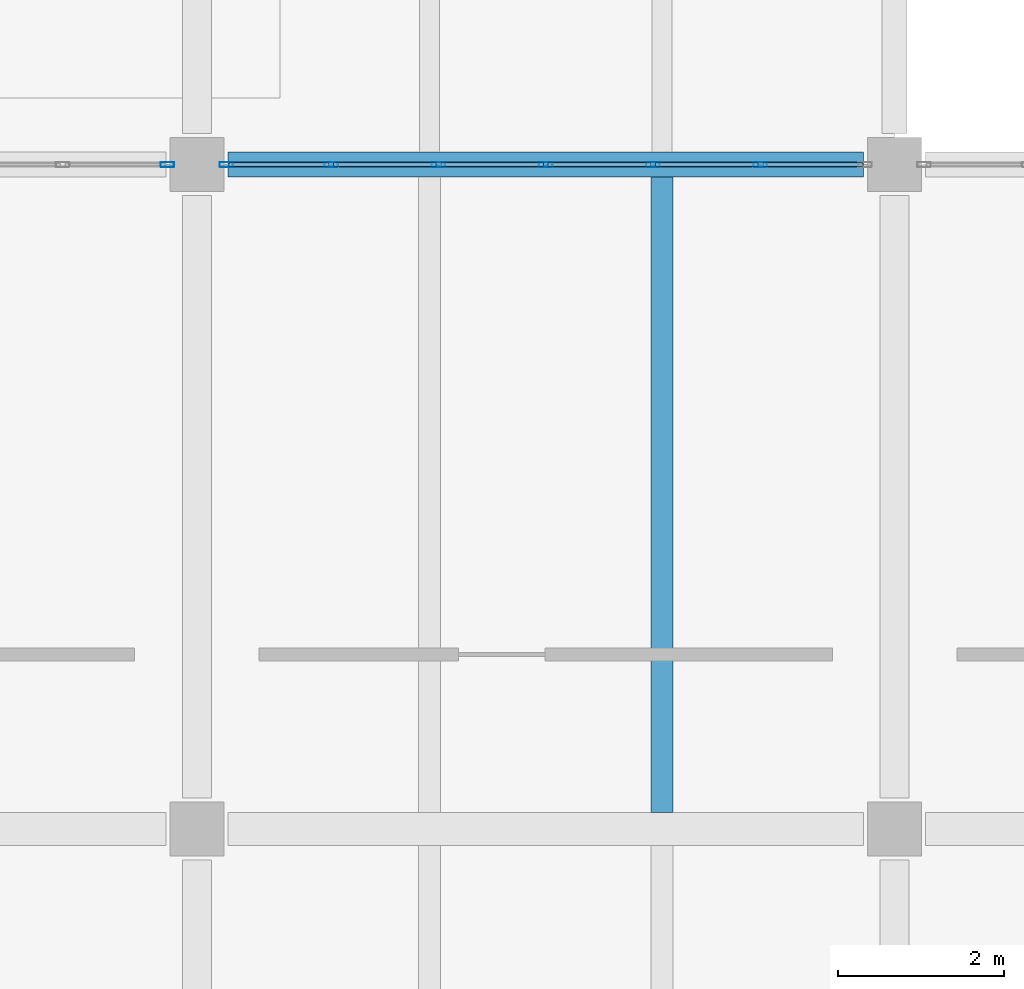
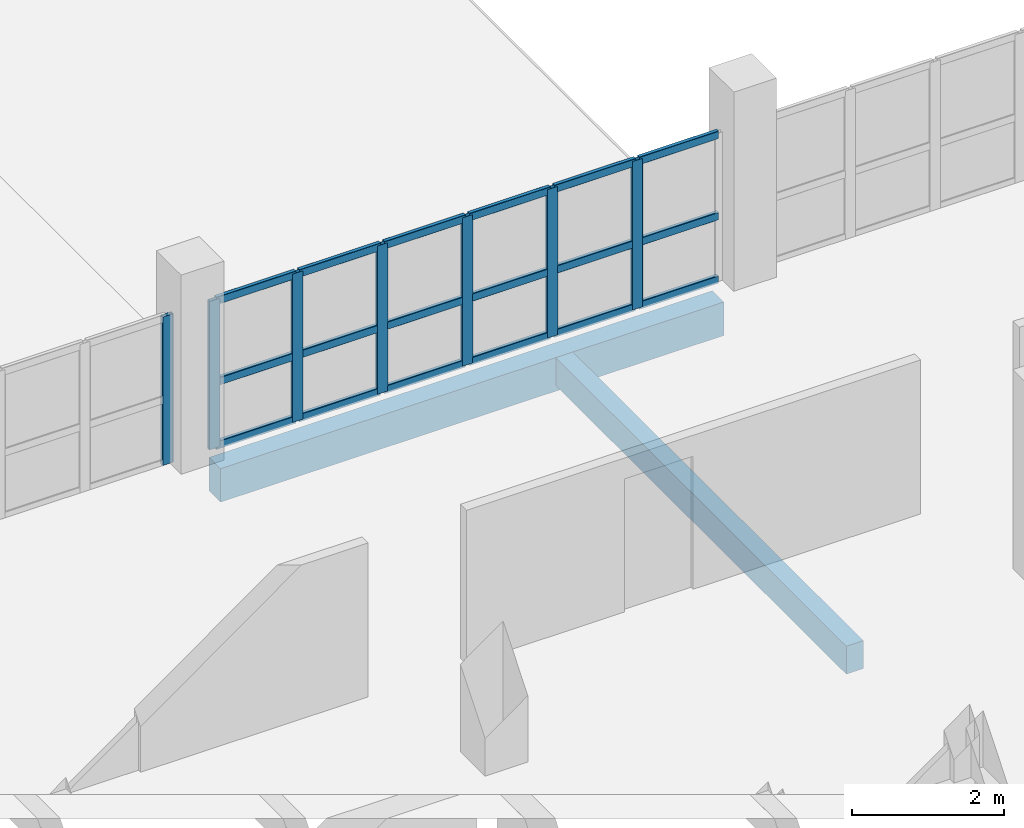
# One storey, part 10 of 33: 25 members, 2 beams, 2 elements without a shape of their own.
"""IFC4 building model written with IfcOpenShell, lengths in metres."""

from ifc_helpers import new_model, si_unit, direction, frame, origin, origin_2d, place, context, subcontext, project, spatial, rectangle, hollow_rectangle, extrude, material, layer, layer_set, material_profile, profile_set, type_object, element, aggregate, save


model = new_model("IFC4")

# Units and contexts
model_context = context("Model", 3, precision=1e-05, world=origin(), true_north=direction((0.0, 1.0)))
body_context = subcontext(model_context, "Body", "Model", "MODEL_VIEW")
ifc_project = project(units=[si_unit("LENGTHUNIT", "METRE"), si_unit("AREAUNIT", "SQUARE_METRE"), si_unit("VOLUMEUNIT", "CUBIC_METRE"), si_unit("PLANEANGLEUNIT", "RADIAN"), si_unit("MASSUNIT", "GRAM", prefix="KILO"), si_unit("THERMODYNAMICTEMPERATUREUNIT", "KELVIN"), si_unit("POWERUNIT", "WATT")], contexts=[model_context])

# Site, building, storey
site_placement = place(None, origin())
site = spatial("IfcSite", under=ifc_project, at=site_placement, CompositionType="ELEMENT")
building_placement = place(site_placement, origin())
building = spatial("IfcBuilding", under=site, at=building_placement, Name="Mavoryth Pier Ferry Terminal", CompositionType="ELEMENT")
storey_placement = place(building_placement, frame((0.0, 0.0, 13.1201171875)))
storey = spatial("IfcBuildingStorey", under=building, at=storey_placement, Name="L03", CompositionType="ELEMENT", Elevation=13.1201171875)

# Beam
ifc_material_1 = material(Name="Concrete C35/45", Category="concrete")
ifc_material_profile_1 = material_profile(ifc_material_1, rectangle(XDim=0.260009765625, YDim=0.449951171875, at=origin_2d()), Name="RC 260x450", Category="concrete")
ifc_profile_set_1 = profile_set([ifc_material_profile_1], Name="Concrete C35/45 - RC 260x450")
beam_type_1 = type_object("IfcBeamType", Name="Joist-RC-260x450", PredefinedType="JOIST", material=ifc_profile_set_1)
beam_1_placement = place(storey_placement, frame((56.0, 14.199951171875, -0.485107421875), z_axis=(0.0, 1.0, 0.0), x_axis=(-1.0, 0.0, 0.0)))
element("IfcBeam", 1, at=beam_1_placement, inside=storey, type_object=beam_type_1, Name="Beam B03-BJ03-1287", PredefinedType="JOIST", context=body_context, shape_type="SweptSolid", body=[
    extrude(rectangle(XDim=0.260009765625, YDim=0.449951171875, at=origin_2d()), origin(), (0.0, 0.0, 1.0), 7.650146484375),
])

# Curtain wall, member
ifc_material_2 = material(Name="Anodised Aluminium and Solar-Control Low-E Glass", Category="aluminium")
ifc_layer = layer(ifc_material_2, 0.239990234375, Name="Anodised Aluminium and Solar-Control Low-E Glass", Category="aluminium")
ifc_layer_set = layer_set([ifc_layer], Name="Anodised Aluminium and Solar-Control Low-E Glass - CW-Operations-Mod1200")
curtain_wall_type = type_object("IfcCurtainWallType", Name="CW-Operations-Mod1200", PredefinedType="USERDEFINED", material=ifc_layer_set)
curtain_wall_1_placement = place(storey_placement, origin())
curtain_wall_1 = element("IfcCurtainWall", 2, at=curtain_wall_1_placement, inside=storey, type_object=curtain_wall_type, Name="Curtain Wall CW-0322-137", ObjectType="UNITISED CURTAIN WALL", PredefinedType="USERDEFINED")
ifc_material_3 = material(Name="Anodised Aluminium EN AW-6063", Category="aluminium")
ifc_material_profile_2 = material_profile(ifc_material_3, hollow_rectangle(XDim=0.06005859375, YDim=0.1650390625, WallThickness=0.00390625, InnerFilletRadius=0.00390625, OuterFilletRadius=0.008056640625, at=origin_2d()), Name="AL-MULL 165x60x4", Category="aluminium")
ifc_profile_set_2 = profile_set([ifc_material_profile_2], Name="Anodised Aluminium EN AW-6063 - AL-MULL 165x60x4")
member_type_1 = type_object("IfcMemberType", Name="Mullion-Alum-165x60", PredefinedType="MULLION", material=ifc_profile_set_2)
member_1_placement = place(storey_placement, frame((50.044921875, 22.0, 0.0), z_axis=(0.0, 0.0, 1.0), x_axis=(0.0, -1.0, 0.0)))
member_1 = element("IfcMember", 3, at=member_1_placement, type_object=member_type_1, Name="CW06 mullion 1", PredefinedType="MULLION", context=body_context, shape_type="SweptSolid", body=[
    extrude(hollow_rectangle(XDim=0.06005859375, YDim=0.1650390625, WallThickness=0.00390625, InnerFilletRadius=0.00390625, OuterFilletRadius=0.008056640625, at=origin_2d()), origin(), (0.0, 0.0, 1.0), 2.384765625),
])
aggregate(curtain_wall_1, [member_1])

# Curtain wall, members
curtain_wall_2_placement = place(storey_placement, origin())
curtain_wall_2 = element("IfcCurtainWall", 4, at=curtain_wall_2_placement, inside=storey, type_object=curtain_wall_type, Name="Curtain Wall CW-0322-139", ObjectType="UNITISED CURTAIN WALL", PredefinedType="USERDEFINED")
member_2_placement = place(storey_placement, frame((57.183349609375, 22.0, 0.0), z_axis=(0.0, 0.0, 1.0), x_axis=(0.0, -1.0, 0.0)))
member_2 = element("IfcMember", 5, at=member_2_placement, type_object=member_type_1, Name="CW06 mullion 2", PredefinedType="MULLION", context=body_context, shape_type="SweptSolid", body=[
    extrude(hollow_rectangle(XDim=0.06005859375, YDim=0.1650390625, WallThickness=0.00390625, InnerFilletRadius=0.00390625, OuterFilletRadius=0.008056640625, at=origin_2d()), origin(), (0.0, 0.0, 1.0), 2.384765625),
])
member_3_placement = place(storey_placement, frame((55.8916015625, 22.0, 0.0), z_axis=(0.0, 0.0, 1.0), x_axis=(0.0, -1.0, 0.0)))
member_3 = element("IfcMember", 6, at=member_3_placement, type_object=member_type_1, Name="CW06 mullion 3", PredefinedType="MULLION", context=body_context, shape_type="SweptSolid", body=[
    extrude(hollow_rectangle(XDim=0.06005859375, YDim=0.1650390625, WallThickness=0.00390625, InnerFilletRadius=0.00390625, OuterFilletRadius=0.008056640625, at=origin_2d()), origin(), (0.0, 0.0, 1.0), 2.384765625),
])
member_4_placement = place(storey_placement, frame((54.60009765625, 22.0, 0.0), z_axis=(0.0, 0.0, 1.0), x_axis=(0.0, -1.0, 0.0)))
member_4 = element("IfcMember", 7, at=member_4_placement, type_object=member_type_1, Name="CW06 mullion 4", PredefinedType="MULLION", context=body_context, shape_type="SweptSolid", body=[
    extrude(hollow_rectangle(XDim=0.06005859375, YDim=0.1650390625, WallThickness=0.00390625, InnerFilletRadius=0.00390625, OuterFilletRadius=0.008056640625, at=origin_2d()), origin(), (0.0, 0.0, 1.0), 2.384765625),
])
member_5_placement = place(storey_placement, frame((53.308349609375, 22.0, 0.0), z_axis=(0.0, 0.0, 1.0), x_axis=(0.0, -1.0, 0.0)))
member_5 = element("IfcMember", 8, at=member_5_placement, type_object=member_type_1, Name="CW06 mullion 5", PredefinedType="MULLION", context=body_context, shape_type="SweptSolid", body=[
    extrude(hollow_rectangle(XDim=0.06005859375, YDim=0.1650390625, WallThickness=0.00390625, InnerFilletRadius=0.00390625, OuterFilletRadius=0.008056640625, at=origin_2d()), origin(), (0.0, 0.0, 1.0), 2.384765625),
])
member_6_placement = place(storey_placement, frame((52.0166015625, 22.0, 0.0), z_axis=(0.0, 0.0, 1.0), x_axis=(0.0, -1.0, 0.0)))
member_6 = element("IfcMember", 9, at=member_6_placement, type_object=member_type_1, Name="CW06 mullion 6", PredefinedType="MULLION", context=body_context, shape_type="SweptSolid", body=[
    extrude(hollow_rectangle(XDim=0.06005859375, YDim=0.1650390625, WallThickness=0.00390625, InnerFilletRadius=0.00390625, OuterFilletRadius=0.008056640625, at=origin_2d()), origin(), (0.0, 0.0, 1.0), 2.384765625),
])
member_7_placement = place(storey_placement, frame((50.7548828125, 22.0, 0.0), z_axis=(0.0, 0.0, 1.0), x_axis=(0.0, -1.0, 0.0)))
member_7 = element("IfcMember", 10, at=member_7_placement, type_object=member_type_1, Name="CW06 mullion 7", PredefinedType="MULLION", context=body_context, shape_type="SweptSolid", body=[
    extrude(hollow_rectangle(XDim=0.06005859375, YDim=0.1650390625, WallThickness=0.00390625, InnerFilletRadius=0.00390625, OuterFilletRadius=0.008056640625, at=origin_2d()), origin(), (0.0, 0.0, 1.0), 2.384765625),
])

# Beam
ifc_material_profile_3 = material_profile(ifc_material_1, rectangle(XDim=0.300048828125, YDim=0.5400390625, at=origin_2d()), Name="RC 300x540", Category="concrete")
ifc_profile_set_3 = profile_set([ifc_material_profile_3], Name="Concrete C35/45 - RC 300x540")
beam_type_2 = type_object("IfcBeamType", Name="Spandrel-RC-300x540", PredefinedType="SPANDREL", material=ifc_profile_set_3)
beam_2_placement = place(storey_placement, frame((50.77490234375, 22.0, -0.530029296875), z_axis=(1.0, 0.0, 0.0), x_axis=(0.0, 1.0, 0.0)))
element("IfcBeam", 11, at=beam_2_placement, inside=storey, type_object=beam_type_2, Name="Beam B03-SP02-1252", PredefinedType="SPANDREL", context=body_context, shape_type="SweptSolid", body=[
    extrude(rectangle(XDim=0.300048828125, YDim=0.5400390625, at=origin_2d()), origin(), (0.0, 0.0, 1.0), 7.650146484375),
])

# Member
ifc_material_profile_4 = material_profile(ifc_material_3, hollow_rectangle(XDim=0.06005859375, YDim=0.125, WallThickness=0.00390625, InnerFilletRadius=0.00390625, OuterFilletRadius=0.008056640625, at=origin_2d()), Name="AL-TRAN 125x60x4", Category="aluminium")
ifc_profile_set_4 = profile_set([ifc_material_profile_4], Name="Anodised Aluminium EN AW-6063 - AL-TRAN 125x60x4")
member_type_2 = type_object("IfcMemberType", Name="Transom-Alum-125x60", PredefinedType="USERDEFINED", material=ifc_profile_set_4)
member_8_placement = place(storey_placement, frame((58.4150390625, 22.0, 0.02978515625), z_axis=(-1.0, 0.0, 0.0), x_axis=(0.0, -1.0, 0.0)))
member_8 = element("IfcMember", 12, at=member_8_placement, type_object=member_type_2, Name="CW06 transom 1.1", ObjectType="TRANSOM", PredefinedType="USERDEFINED", context=body_context, shape_type="SweptSolid", body=[
    extrude(hollow_rectangle(XDim=0.06005859375, YDim=0.125, WallThickness=0.00390625, InnerFilletRadius=0.00390625, OuterFilletRadius=0.008056640625, at=origin_2d()), origin(), (0.0, 0.0, 1.0), 1.20166015625),
])

member_9_placement = place(storey_placement, frame((58.4150390625, 22.0, 1.0498046875), z_axis=(-1.0, 0.0, 0.0), x_axis=(0.0, -1.0, 0.0)))
member_9 = element("IfcMember", 13, at=member_9_placement, type_object=member_type_2, Name="CW06 transom 1.2", ObjectType="TRANSOM", PredefinedType="USERDEFINED", context=body_context, shape_type="SweptSolid", body=[
    extrude(hollow_rectangle(XDim=0.06005859375, YDim=0.125, WallThickness=0.00390625, InnerFilletRadius=0.00390625, OuterFilletRadius=0.008056640625, at=origin_2d()), origin(), (0.0, 0.0, 1.0), 1.20166015625),
])

member_10_placement = place(storey_placement, frame((58.4150390625, 22.0, 2.35498046875), z_axis=(-1.0, 0.0, 0.0), x_axis=(0.0, -1.0, 0.0)))
member_10 = element("IfcMember", 14, at=member_10_placement, type_object=member_type_2, Name="CW06 transom 1.3", ObjectType="TRANSOM", PredefinedType="USERDEFINED", context=body_context, shape_type="SweptSolid", body=[
    extrude(hollow_rectangle(XDim=0.06005859375, YDim=0.125, WallThickness=0.00390625, InnerFilletRadius=0.00390625, OuterFilletRadius=0.008056640625, at=origin_2d()), origin(), (0.0, 0.0, 1.0), 1.20166015625),
])

member_11_placement = place(storey_placement, frame((57.1533203125, 22.0, 0.02978515625), z_axis=(-1.0, 0.0, 0.0), x_axis=(0.0, -1.0, 0.0)))
member_11 = element("IfcMember", 15, at=member_11_placement, type_object=member_type_2, Name="CW06 transom 2.1", ObjectType="TRANSOM", PredefinedType="USERDEFINED", context=body_context, shape_type="SweptSolid", body=[
    extrude(hollow_rectangle(XDim=0.06005859375, YDim=0.125, WallThickness=0.00390625, InnerFilletRadius=0.00390625, OuterFilletRadius=0.008056640625, at=origin_2d()), origin(), (0.0, 0.0, 1.0), 1.231689453125),
])

member_12_placement = place(storey_placement, frame((57.1533203125, 22.0, 1.0498046875), z_axis=(-1.0, 0.0, 0.0), x_axis=(0.0, -1.0, 0.0)))
member_12 = element("IfcMember", 16, at=member_12_placement, type_object=member_type_2, Name="CW06 transom 2.2", ObjectType="TRANSOM", PredefinedType="USERDEFINED", context=body_context, shape_type="SweptSolid", body=[
    extrude(hollow_rectangle(XDim=0.06005859375, YDim=0.125, WallThickness=0.00390625, InnerFilletRadius=0.00390625, OuterFilletRadius=0.008056640625, at=origin_2d()), origin(), (0.0, 0.0, 1.0), 1.231689453125),
])

member_13_placement = place(storey_placement, frame((57.1533203125, 22.0, 2.35498046875), z_axis=(-1.0, 0.0, 0.0), x_axis=(0.0, -1.0, 0.0)))
member_13 = element("IfcMember", 17, at=member_13_placement, type_object=member_type_2, Name="CW06 transom 2.3", ObjectType="TRANSOM", PredefinedType="USERDEFINED", context=body_context, shape_type="SweptSolid", body=[
    extrude(hollow_rectangle(XDim=0.06005859375, YDim=0.125, WallThickness=0.00390625, InnerFilletRadius=0.00390625, OuterFilletRadius=0.008056640625, at=origin_2d()), origin(), (0.0, 0.0, 1.0), 1.231689453125),
])

member_14_placement = place(storey_placement, frame((55.861572265625, 22.0, 0.02978515625), z_axis=(-1.0, 0.0, 0.0), x_axis=(0.0, -1.0, 0.0)))
member_14 = element("IfcMember", 18, at=member_14_placement, type_object=member_type_2, Name="CW06 transom 3.1", ObjectType="TRANSOM", PredefinedType="USERDEFINED", context=body_context, shape_type="SweptSolid", body=[
    extrude(hollow_rectangle(XDim=0.06005859375, YDim=0.125, WallThickness=0.00390625, InnerFilletRadius=0.00390625, OuterFilletRadius=0.008056640625, at=origin_2d()), origin(), (0.0, 0.0, 1.0), 1.231689453125),
])

member_15_placement = place(storey_placement, frame((55.861572265625, 22.0, 1.0498046875), z_axis=(-1.0, 0.0, 0.0), x_axis=(0.0, -1.0, 0.0)))
member_15 = element("IfcMember", 19, at=member_15_placement, type_object=member_type_2, Name="CW06 transom 3.2", ObjectType="TRANSOM", PredefinedType="USERDEFINED", context=body_context, shape_type="SweptSolid", body=[
    extrude(hollow_rectangle(XDim=0.06005859375, YDim=0.125, WallThickness=0.00390625, InnerFilletRadius=0.00390625, OuterFilletRadius=0.008056640625, at=origin_2d()), origin(), (0.0, 0.0, 1.0), 1.231689453125),
])

member_16_placement = place(storey_placement, frame((55.861572265625, 22.0, 2.35498046875), z_axis=(-1.0, 0.0, 0.0), x_axis=(0.0, -1.0, 0.0)))
member_16 = element("IfcMember", 20, at=member_16_placement, type_object=member_type_2, Name="CW06 transom 3.3", ObjectType="TRANSOM", PredefinedType="USERDEFINED", context=body_context, shape_type="SweptSolid", body=[
    extrude(hollow_rectangle(XDim=0.06005859375, YDim=0.125, WallThickness=0.00390625, InnerFilletRadius=0.00390625, OuterFilletRadius=0.008056640625, at=origin_2d()), origin(), (0.0, 0.0, 1.0), 1.231689453125),
])

member_17_placement = place(storey_placement, frame((54.570068359375, 22.0, 0.02978515625), z_axis=(-1.0, 0.0, 0.0), x_axis=(0.0, -1.0, 0.0)))
member_17 = element("IfcMember", 21, at=member_17_placement, type_object=member_type_2, Name="CW06 transom 4.1", ObjectType="TRANSOM", PredefinedType="USERDEFINED", context=body_context, shape_type="SweptSolid", body=[
    extrude(hollow_rectangle(XDim=0.06005859375, YDim=0.125, WallThickness=0.00390625, InnerFilletRadius=0.00390625, OuterFilletRadius=0.008056640625, at=origin_2d()), origin(), (0.0, 0.0, 1.0), 1.231689453125),
])

member_18_placement = place(storey_placement, frame((54.570068359375, 22.0, 1.0498046875), z_axis=(-1.0, 0.0, 0.0), x_axis=(0.0, -1.0, 0.0)))
member_18 = element("IfcMember", 22, at=member_18_placement, type_object=member_type_2, Name="CW06 transom 4.2", ObjectType="TRANSOM", PredefinedType="USERDEFINED", context=body_context, shape_type="SweptSolid", body=[
    extrude(hollow_rectangle(XDim=0.06005859375, YDim=0.125, WallThickness=0.00390625, InnerFilletRadius=0.00390625, OuterFilletRadius=0.008056640625, at=origin_2d()), origin(), (0.0, 0.0, 1.0), 1.231689453125),
])

member_19_placement = place(storey_placement, frame((54.570068359375, 22.0, 2.35498046875), z_axis=(-1.0, 0.0, 0.0), x_axis=(0.0, -1.0, 0.0)))
member_19 = element("IfcMember", 23, at=member_19_placement, type_object=member_type_2, Name="CW06 transom 4.3", ObjectType="TRANSOM", PredefinedType="USERDEFINED", context=body_context, shape_type="SweptSolid", body=[
    extrude(hollow_rectangle(XDim=0.06005859375, YDim=0.125, WallThickness=0.00390625, InnerFilletRadius=0.00390625, OuterFilletRadius=0.008056640625, at=origin_2d()), origin(), (0.0, 0.0, 1.0), 1.231689453125),
])

member_20_placement = place(storey_placement, frame((53.2783203125, 22.0, 0.02978515625), z_axis=(-1.0, 0.0, 0.0), x_axis=(0.0, -1.0, 0.0)))
member_20 = element("IfcMember", 24, at=member_20_placement, type_object=member_type_2, Name="CW06 transom 5.1", ObjectType="TRANSOM", PredefinedType="USERDEFINED", context=body_context, shape_type="SweptSolid", body=[
    extrude(hollow_rectangle(XDim=0.06005859375, YDim=0.125, WallThickness=0.00390625, InnerFilletRadius=0.00390625, OuterFilletRadius=0.008056640625, at=origin_2d()), origin(), (0.0, 0.0, 1.0), 1.231689453125),
])

member_21_placement = place(storey_placement, frame((53.2783203125, 22.0, 1.0498046875), z_axis=(-1.0, 0.0, 0.0), x_axis=(0.0, -1.0, 0.0)))
member_21 = element("IfcMember", 25, at=member_21_placement, type_object=member_type_2, Name="CW06 transom 5.2", ObjectType="TRANSOM", PredefinedType="USERDEFINED", context=body_context, shape_type="SweptSolid", body=[
    extrude(hollow_rectangle(XDim=0.06005859375, YDim=0.125, WallThickness=0.00390625, InnerFilletRadius=0.00390625, OuterFilletRadius=0.008056640625, at=origin_2d()), origin(), (0.0, 0.0, 1.0), 1.231689453125),
])

member_22_placement = place(storey_placement, frame((53.2783203125, 22.0, 2.35498046875), z_axis=(-1.0, 0.0, 0.0), x_axis=(0.0, -1.0, 0.0)))
member_22 = element("IfcMember", 26, at=member_22_placement, type_object=member_type_2, Name="CW06 transom 5.3", ObjectType="TRANSOM", PredefinedType="USERDEFINED", context=body_context, shape_type="SweptSolid", body=[
    extrude(hollow_rectangle(XDim=0.06005859375, YDim=0.125, WallThickness=0.00390625, InnerFilletRadius=0.00390625, OuterFilletRadius=0.008056640625, at=origin_2d()), origin(), (0.0, 0.0, 1.0), 1.231689453125),
])

member_23_placement = place(storey_placement, frame((51.986572265625, 22.0, 0.02978515625), z_axis=(-1.0, 0.0, 0.0), x_axis=(0.0, -1.0, 0.0)))
member_23 = element("IfcMember", 27, at=member_23_placement, type_object=member_type_2, Name="CW06 transom 6.1", ObjectType="TRANSOM", PredefinedType="USERDEFINED", context=body_context, shape_type="SweptSolid", body=[
    extrude(hollow_rectangle(XDim=0.06005859375, YDim=0.125, WallThickness=0.00390625, InnerFilletRadius=0.00390625, OuterFilletRadius=0.008056640625, at=origin_2d()), origin(), (0.0, 0.0, 1.0), 1.20166015625),
])

member_24_placement = place(storey_placement, frame((51.986572265625, 22.0, 1.0498046875), z_axis=(-1.0, 0.0, 0.0), x_axis=(0.0, -1.0, 0.0)))
member_24 = element("IfcMember", 28, at=member_24_placement, type_object=member_type_2, Name="CW06 transom 6.2", ObjectType="TRANSOM", PredefinedType="USERDEFINED", context=body_context, shape_type="SweptSolid", body=[
    extrude(hollow_rectangle(XDim=0.06005859375, YDim=0.125, WallThickness=0.00390625, InnerFilletRadius=0.00390625, OuterFilletRadius=0.008056640625, at=origin_2d()), origin(), (0.0, 0.0, 1.0), 1.20166015625),
])

member_25_placement = place(storey_placement, frame((51.986572265625, 22.0, 2.35498046875), z_axis=(-1.0, 0.0, 0.0), x_axis=(0.0, -1.0, 0.0)))
member_25 = element("IfcMember", 29, at=member_25_placement, type_object=member_type_2, Name="CW06 transom 6.3", ObjectType="TRANSOM", PredefinedType="USERDEFINED", context=body_context, shape_type="SweptSolid", body=[
    extrude(hollow_rectangle(XDim=0.06005859375, YDim=0.125, WallThickness=0.00390625, InnerFilletRadius=0.00390625, OuterFilletRadius=0.008056640625, at=origin_2d()), origin(), (0.0, 0.0, 1.0), 1.20166015625),
])

aggregate(curtain_wall_2, [member_2, member_3, member_4, member_5, member_6, member_7, member_8, member_9, member_10, member_11, member_12, member_13, member_14, member_15, member_16, member_17, member_18, member_19, member_20, member_21, member_22, member_23, member_24, member_25])

save(model, "model.ifc")
